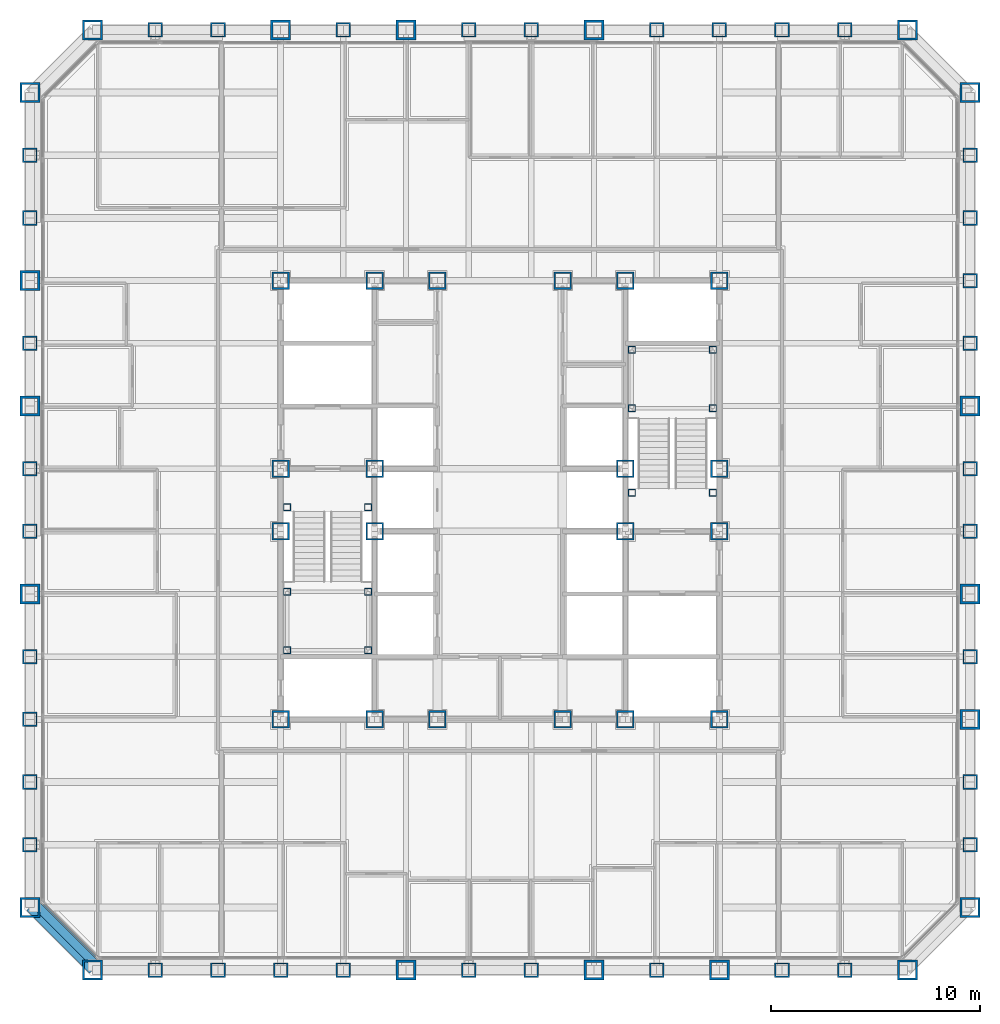
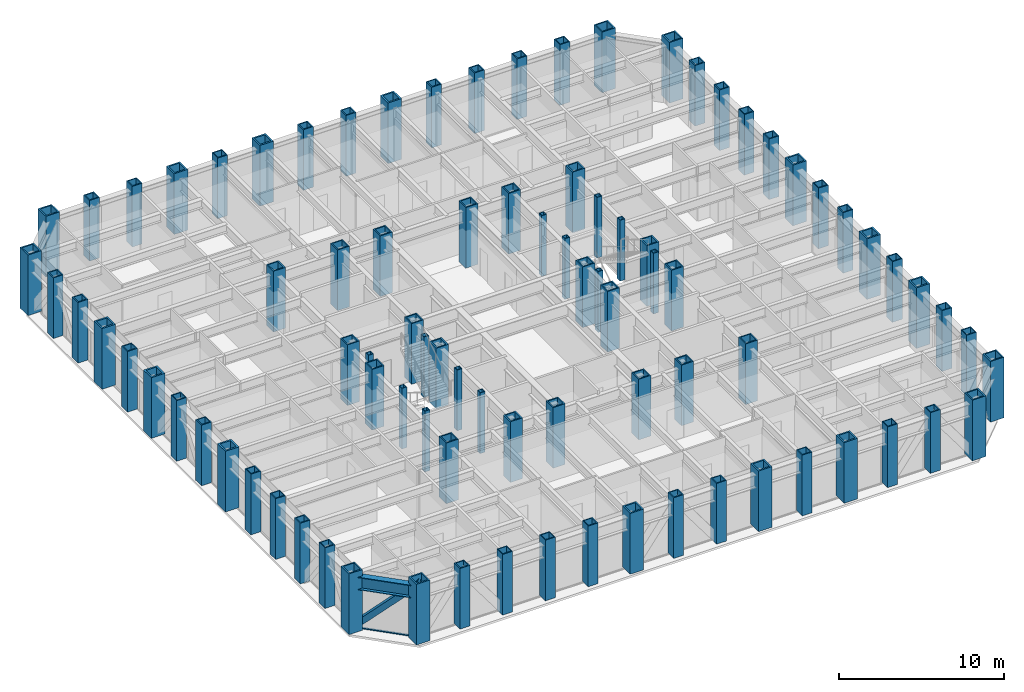
# One storey, part 1 of 16: 88 columns, 2 members, 1 beam, 1 element without a shape of its own.
"""IFC4 building model written with IfcOpenShell, lengths in metres."""

from ifc_helpers import new_model, si_unit, direction, frame, origin, origin_2d, place, context, subcontext, project, spatial, rectangle, hollow_rectangle, i_section, extrude, material, layer, layer_set, material_profile, profile_set, type_object, element, aggregate, save


model = new_model("IFC4")

# Units and contexts
model_context = context("Model", 3, precision=1e-05, world=origin(), true_north=direction((0.0, 1.0)))
body_context = subcontext(model_context, "Body", "Model", "MODEL_VIEW")
ifc_project = project(units=[si_unit("LENGTHUNIT", "METRE"), si_unit("AREAUNIT", "SQUARE_METRE"), si_unit("VOLUMEUNIT", "CUBIC_METRE"), si_unit("PLANEANGLEUNIT", "RADIAN"), si_unit("MASSUNIT", "GRAM", prefix="KILO")], contexts=[model_context])

# Site, building, storey
site_placement = place(None, origin())
site = spatial("IfcSite", under=ifc_project, at=site_placement, CompositionType="ELEMENT")
building_placement = place(site_placement, origin())
building = spatial("IfcBuilding", under=site, at=building_placement, Name="Chuquiago Exchange Tower", CompositionType="ELEMENT")
storey_placement = place(building_placement, frame((0.0, 0.0, 82.800048828125)))
storey = spatial("IfcBuildingStorey", under=building, at=storey_placement, Name="L17", CompositionType="ELEMENT", Elevation=82.800048828125)

# Columns
ifc_material_1 = material(Name="Steel ASTM A572 Grade 50", Category="steel")
ifc_material_profile_1 = material_profile(ifc_material_1, hollow_rectangle(XDim=0.699951171875, YDim=0.699951171875, WallThickness=0.070068359375, at=origin_2d()), Name="BOX700X700X70")
ifc_profile_set_1 = profile_set([ifc_material_profile_1], Name="Steel ASTM A572 Grade 50")
column_type_1 = type_object("IfcColumnType", Name="C2 BOX700X700X70", PredefinedType="COLUMN", material=ifc_profile_set_1)
for number, where, z_axis, x_axis, name in (
    (1, (6.0, 0.0, 0.0), (0.0, 0.0, 1.0), (0.0, -1.0, 0.0), "COL-L17-6_0"),
    (2, (9.0, 0.0, 0.0), (0.0, 0.0, 1.0), (0.0, -1.0, 0.0), "COL-L17-9_0"),
    (3, (12.0, 0.0, 0.0), (0.0, 0.0, 1.0), (0.0, -1.0, 0.0), "COL-L17-12_0"),
    (4, (15.0, 0.0, 0.0), (0.0, 0.0, 1.0), (0.0, -1.0, 0.0), "COL-L17-15_0"),
    (5, (21.0, 0.0, 0.0), (0.0, 0.0, 1.0), (0.0, -1.0, 0.0), "COL-L17-21_0"),
    (6, (24.0, 0.0, 0.0), (0.0, 0.0, 1.0), (0.0, -1.0, 0.0), "COL-L17-24_0"),
    (7, (30.0, 0.0, 0.0), (0.0, 0.0, 1.0), (0.0, -1.0, 0.0), "COL-L17-30_0"),
    (8, (36.0, 0.0, 0.0), (0.0, 0.0, 1.0), (0.0, -1.0, 0.0), "COL-L17-36_0"),
    (9, (39.0, 0.0, 0.0), (0.0, 0.0, 1.0), (0.0, -1.0, 0.0), "COL-L17-39_0"),
    (10, (45.0, 6.0, 0.0), (0.0, 0.0, 1.0), (1.0, 0.0, 0.0), "COL-L17-45_6"),
    (11, (45.0, 9.0, 0.0), (0.0, 0.0, 1.0), (1.0, 0.0, 0.0), "COL-L17-45_9"),
    (12, (45.0, 15.0, 0.0), (0.0, 0.0, 1.0), (1.0, 0.0, 0.0), "COL-L17-45_15"),
    (13, (45.0, 21.0, 0.0), (0.0, 0.0, 1.0), (1.0, 0.0, 0.0), "COL-L17-45_21"),
    (14, (45.0, 24.0, 0.0), (0.0, 0.0, 1.0), (1.0, 0.0, 0.0), "COL-L17-45_24"),
    (15, (45.0, 30.0, 0.0), (0.0, 0.0, 1.0), (1.0, 0.0, 0.0), "COL-L17-45_30"),
    (16, (45.0, 33.0, 0.0), (0.0, 0.0, 1.0), (1.0, 0.0, 0.0), "COL-L17-45_33"),
    (17, (45.0, 36.0, 0.0), (0.0, 0.0, 1.0), (1.0, 0.0, 0.0), "COL-L17-45_36"),
    (18, (45.0, 39.0, 0.0), (0.0, 0.0, 1.0), (1.0, 0.0, 0.0), "COL-L17-45_39"),
    (19, (39.0, 45.0, 0.0), (0.0, 0.0, 1.0), (0.0, 1.0, 0.0), "COL-L17-39_45"),
    (20, (36.0, 45.0, 0.0), (0.0, 0.0, 1.0), (0.0, 1.0, 0.0), "COL-L17-36_45"),
    (21, (33.0, 45.0, 0.0), (0.0, 0.0, 1.0), (0.0, 1.0, 0.0), "COL-L17-33_45"),
    (22, (30.0, 45.0, 0.0), (0.0, 0.0, 1.0), (0.0, 1.0, 0.0), "COL-L17-30_45"),
    (23, (24.0, 45.0, 0.0), (0.0, 0.0, 1.0), (0.0, 1.0, 0.0), "COL-L17-24_45"),
    (24, (21.0, 45.0, 0.0), (0.0, 0.0, 1.0), (0.0, 1.0, 0.0), "COL-L17-21_45"),
    (25, (15.0, 45.0, 0.0), (0.0, 0.0, 1.0), (0.0, 1.0, 0.0), "COL-L17-15_45"),
    (26, (9.0, 45.0, 0.0), (0.0, 0.0, 1.0), (0.0, 1.0, 0.0), "COL-L17-9_45"),
    (27, (6.0, 45.0, 0.0), (0.0, 0.0, 1.0), (0.0, 1.0, 0.0), "COL-L17-6_45"),
    (28, (0.0, 39.0, 0.0), (0.0, 0.0, 1.0), (-1.0, 0.0, 0.0), "COL-L17-0_39"),
    (29, (0.0, 36.0, 0.0), (0.0, 0.0, 1.0), (-1.0, 0.0, 0.0), "COL-L17-0_36"),
    (30, (0.0, 30.0, 0.0), (0.0, 0.0, 1.0), (-1.0, 0.0, 0.0), "COL-L17-0_30"),
    (31, (0.0, 24.0, 0.0), (0.0, 0.0, 1.0), (-1.0, 0.0, 0.0), "COL-L17-0_24"),
    (32, (0.0, 21.0, 0.0), (0.0, 0.0, 1.0), (-1.0, 0.0, 0.0), "COL-L17-0_21"),
    (33, (0.0, 15.0, 0.0), (0.0, 0.0, 1.0), (-1.0, 0.0, 0.0), "COL-L17-0_15"),
    (34, (0.0, 12.0, 0.0), (0.0, 0.0, 1.0), (-1.0, 0.0, 0.0), "COL-L17-0_12"),
    (35, (0.0, 9.0, 0.0), (0.0, 0.0, 1.0), (-1.0, 0.0, 0.0), "COL-L17-0_9"),
    (36, (0.0, 6.0, 0.0), (0.0, 0.0, 1.0), (-1.0, 0.0, 0.0), "COL-L17-0_6"),
):
    element("IfcColumn", number, at=place(storey_placement, frame(where, z_axis=z_axis, x_axis=x_axis)), inside=storey, type_object=column_type_1, Name=name, PredefinedType="COLUMN", context=body_context, shape_type="SweptSolid", body=[
        extrude(hollow_rectangle(XDim=0.699951171875, YDim=0.699951171875, WallThickness=0.070068359375, at=origin_2d()), origin(), (0.0, 0.0, 1.0), 4.5),
    ])
ifc_material_2 = material(Name="Steel ASTM A572 Grade 50", Category="steel")
ifc_material_profile_2 = material_profile(ifc_material_2, hollow_rectangle(XDim=0.85009765625, YDim=0.85009765625, WallThickness=0.0849609375, at=origin_2d()), Name="BOX850X850X85")
ifc_profile_set_2 = profile_set([ifc_material_profile_2], Name="Steel ASTM A572 Grade 50")
column_type_2 = type_object("IfcColumnType", Name="CC2 BOX850X850X85", PredefinedType="COLUMN", material=ifc_profile_set_2)
for number, where, z_axis, x_axis, name in (
    (37, (16.5, 12.0, 0.0), (0.0, 0.0, 1.0), (1.0, 0.0, 0.0), "CCOL-L17-16.5_12"),
    (38, (19.5, 12.0, 0.0), (0.0, 0.0, 1.0), (1.0, 0.0, 0.0), "CCOL-L17-19.5_12"),
    (39, (25.5, 12.0, 0.0), (0.0, 0.0, 1.0), (1.0, 0.0, 0.0), "CCOL-L17-25.5_12"),
    (40, (28.5, 12.0, 0.0), (0.0, 0.0, 1.0), (1.0, 0.0, 0.0), "CCOL-L17-28.5_12"),
    (41, (16.5, 33.0, 0.0), (0.0, 0.0, 1.0), (1.0, 0.0, 0.0), "CCOL-L17-16.5_33"),
    (42, (19.5, 33.0, 0.0), (0.0, 0.0, 1.0), (1.0, 0.0, 0.0), "CCOL-L17-19.5_33"),
    (43, (25.5, 33.0, 0.0), (0.0, 0.0, 1.0), (1.0, 0.0, 0.0), "CCOL-L17-25.5_33"),
    (44, (28.5, 33.0, 0.0), (0.0, 0.0, 1.0), (1.0, 0.0, 0.0), "CCOL-L17-28.5_33"),
    (45, (12.0, 21.0, 0.0), (0.0, 0.0, 1.0), (1.0, 0.0, 0.0), "CCOL-L17-12_21"),
    (46, (12.0, 24.0, 0.0), (0.0, 0.0, 1.0), (1.0, 0.0, 0.0), "CCOL-L17-12_24"),
    (47, (33.0, 21.0, 0.0), (0.0, 0.0, 1.0), (1.0, 0.0, 0.0), "CCOL-L17-33_21"),
    (48, (33.0, 24.0, 0.0), (0.0, 0.0, 1.0), (1.0, 0.0, 0.0), "CCOL-L17-33_24"),
    (49, (16.5, 21.0, 0.0), (0.0, 0.0, 1.0), (1.0, 0.0, 0.0), "CCOL-L17-16.5_21"),
    (50, (16.5, 24.0, 0.0), (0.0, 0.0, 1.0), (1.0, 0.0, 0.0), "CCOL-L17-16.5_24"),
    (51, (28.5, 21.0, 0.0), (0.0, 0.0, 1.0), (1.0, 0.0, 0.0), "CCOL-L17-28.5_21"),
    (52, (28.5, 24.0, 0.0), (0.0, 0.0, 1.0), (1.0, 0.0, 0.0), "CCOL-L17-28.5_24"),
):
    element("IfcColumn", number, at=place(storey_placement, frame(where, z_axis=z_axis, x_axis=x_axis)), inside=storey, type_object=column_type_2, Name=name, PredefinedType="COLUMN", context=body_context, shape_type="SweptSolid", body=[
        extrude(hollow_rectangle(XDim=0.85009765625, YDim=0.85009765625, WallThickness=0.0849609375, at=origin_2d()), origin(), (0.0, 0.0, 1.0), 4.5),
    ])
ifc_material_3 = material(Name="Steel ASTM A572 Grade 50", Category="steel")
ifc_material_profile_3 = material_profile(ifc_material_3, hollow_rectangle(XDim=0.85009765625, YDim=0.85009765625, WallThickness=0.0849609375, at=origin_2d()), Name="BOX850X850X85")
ifc_profile_set_3 = profile_set([ifc_material_profile_3], Name="Steel ASTM A572 Grade 50")
column_type_3 = type_object("IfcColumnType", Name="CC6 BOX850X850X85", PredefinedType="COLUMN", material=ifc_profile_set_3)
for number, where, z_axis, x_axis, name in (
    (53, (12.0, 12.0, 0.0), (0.0, 0.0, 1.0), (1.0, 0.0, 0.0), "CCOL-L17-12_12"),
    (54, (33.0, 12.0, 0.0), (0.0, 0.0, 1.0), (1.0, 0.0, 0.0), "CCOL-L17-33_12"),
    (55, (12.0, 33.0, 0.0), (0.0, 0.0, 1.0), (1.0, 0.0, 0.0), "CCOL-L17-12_33"),
    (56, (33.0, 33.0, 0.0), (0.0, 0.0, 1.0), (1.0, 0.0, 0.0), "CCOL-L17-33_33"),
):
    element("IfcColumn", number, at=place(storey_placement, frame(where, z_axis=z_axis, x_axis=x_axis)), inside=storey, type_object=column_type_3, Name=name, PredefinedType="COLUMN", context=body_context, shape_type="SweptSolid", body=[
        extrude(hollow_rectangle(XDim=0.85009765625, YDim=0.85009765625, WallThickness=0.0849609375, at=origin_2d()), origin(), (0.0, 0.0, 1.0), 4.5),
    ])
ifc_material_4 = material(Name="Steel ASTM A572 Grade 50", Category="steel")
ifc_material_profile_4 = material_profile(ifc_material_4, hollow_rectangle(XDim=0.949951171875, YDim=0.949951171875, WallThickness=0.094970703125, at=origin_2d()), Name="BOX950X950X95")
ifc_profile_set_4 = profile_set([ifc_material_profile_4], Name="Steel ASTM A572 Grade 50")
column_type_4 = type_object("IfcColumnType", Name="CN1 BOX950X950X95", PredefinedType="COLUMN", material=ifc_profile_set_4)
for number, where, z_axis, x_axis, name in (
    (57, (3.0, 0.0, 0.0), (0.0, 0.0, 1.0), (0.0, -1.0, 0.0), "COL-L17-3_0"),
    (58, (42.0, 0.0, 0.0), (0.0, 0.0, 1.0), (0.0, -1.0, 0.0), "COL-L17-42_0"),
    (59, (45.0, 3.0, 0.0), (0.0, 0.0, 1.0), (1.0, 0.0, 0.0), "COL-L17-45_3"),
    (60, (45.0, 42.0, 0.0), (0.0, 0.0, 1.0), (1.0, 0.0, 0.0), "COL-L17-45_42"),
    (61, (42.0, 45.0, 0.0), (0.0, 0.0, 1.0), (0.0, 1.0, 0.0), "COL-L17-42_45"),
    (62, (3.0, 45.0, 0.0), (0.0, 0.0, 1.0), (0.0, 1.0, 0.0), "COL-L17-3_45"),
    (63, (0.0, 42.0, 0.0), (0.0, 0.0, 1.0), (-1.0, 0.0, 0.0), "COL-L17-0_42"),
    (64, (0.0, 3.0, 0.0), (0.0, 0.0, 1.0), (-1.0, 0.0, 0.0), "COL-L17-0_3"),
):
    element("IfcColumn", number, at=place(storey_placement, frame(where, z_axis=z_axis, x_axis=x_axis)), inside=storey, type_object=column_type_4, Name=name, PredefinedType="COLUMN", context=body_context, shape_type="SweptSolid", body=[
        extrude(hollow_rectangle(XDim=0.949951171875, YDim=0.949951171875, WallThickness=0.094970703125, at=origin_2d()), origin(), (0.0, 0.0, 1.0), 4.5),
    ])
ifc_material_5 = material(Name="Steel ASTM A572 Grade 42", Category="steel")
ifc_material_profile_5 = material_profile(ifc_material_5, hollow_rectangle(XDim=0.949951171875, YDim=0.949951171875, WallThickness=0.110107421875, at=origin_2d()), Name="BOX950X950X110")
ifc_profile_set_5 = profile_set([ifc_material_profile_5], Name="Steel ASTM A572 Grade 42")
column_type_5 = type_object("IfcColumnType", Name="CT1 BOX950X950X110", PredefinedType="COLUMN", material=ifc_profile_set_5)
for number, where, z_axis, x_axis, name in (
    (65, (18.0, 0.0, 0.0), (0.0, 0.0, 1.0), (0.0, -1.0, 0.0), "COL-L17-18_0"),
    (66, (27.0, 0.0, 0.0), (0.0, 0.0, 1.0), (0.0, -1.0, 0.0), "COL-L17-27_0"),
    (67, (33.0, 0.0, 0.0), (0.0, 0.0, 1.0), (0.0, -1.0, 0.0), "COL-L17-33_0"),
    (68, (45.0, 12.0, 0.0), (0.0, 0.0, 1.0), (1.0, 0.0, 0.0), "COL-L17-45_12"),
    (69, (45.0, 18.0, 0.0), (0.0, 0.0, 1.0), (1.0, 0.0, 0.0), "COL-L17-45_18"),
    (70, (45.0, 27.0, 0.0), (0.0, 0.0, 1.0), (1.0, 0.0, 0.0), "COL-L17-45_27"),
    (71, (27.0, 45.0, 0.0), (0.0, 0.0, 1.0), (0.0, 1.0, 0.0), "COL-L17-27_45"),
    (72, (18.0, 45.0, 0.0), (0.0, 0.0, 1.0), (0.0, 1.0, 0.0), "COL-L17-18_45"),
    (73, (12.0, 45.0, 0.0), (0.0, 0.0, 1.0), (0.0, 1.0, 0.0), "COL-L17-12_45"),
    (74, (0.0, 33.0, 0.0), (0.0, 0.0, 1.0), (-1.0, 0.0, 0.0), "COL-L17-0_33"),
    (75, (0.0, 27.0, 0.0), (0.0, 0.0, 1.0), (-1.0, 0.0, 0.0), "COL-L17-0_27"),
    (76, (0.0, 18.0, 0.0), (0.0, 0.0, 1.0), (-1.0, 0.0, 0.0), "COL-L17-0_18"),
):
    element("IfcColumn", number, at=place(storey_placement, frame(where, z_axis=z_axis, x_axis=x_axis)), inside=storey, type_object=column_type_5, Name=name, PredefinedType="COLUMN", context=body_context, shape_type="SweptSolid", body=[
        extrude(hollow_rectangle(XDim=0.949951171875, YDim=0.949951171875, WallThickness=0.110107421875, at=origin_2d()), origin(), (0.0, 0.0, 1.0), 4.5),
    ])
ifc_material_6 = material(Name="Steel ASTM A572 Grade 50", Category="steel")
ifc_material_profile_6 = material_profile(ifc_material_6, hollow_rectangle(XDim=0.35009765625, YDim=0.35009765625, WallThickness=0.034912109375, at=origin_2d()), Name="BOX350X350X35")
ifc_profile_set_6 = profile_set([ifc_material_profile_6], Name="Steel ASTM A572 Grade 50")
column_type_6 = type_object("IfcColumnType", Name="PT3 BOX350X350X35", PredefinedType="COLUMN", material=ifc_profile_set_6)
for number, where, z_axis, x_axis, name in (
    (77, (12.31005859375, 15.31005859375, 0.0), (0.0, 0.0, 1.0), (1.0, 0.0, 0.0), "Stair ST1 L17 landing post"),
    (78, (16.18994140625, 15.31005859375, 0.0), (0.0, 0.0, 1.0), (1.0, 0.0, 0.0), "Stair ST1 L17 landing post"),
    (79, (12.31005859375, 18.110107421875, 0.0), (0.0, 0.0, 1.0), (1.0, 0.0, 0.0), "Stair ST1 L17 landing post"),
    (80, (16.18994140625, 18.110107421875, 0.0), (0.0, 0.0, 1.0), (1.0, 0.0, 0.0), "Stair ST1 L17 landing post"),
    (81, (12.31005859375, 22.14990234375, 0.0), (0.0, 0.0, 1.0), (1.0, 0.0, 0.0), "Stair ST1 L17 landing post"),
    (82, (16.18994140625, 22.14990234375, 0.0), (0.0, 0.0, 1.0), (1.0, 0.0, 0.0), "Stair ST1 L17 landing post"),
    (83, (28.81005859375, 29.68994140625, 0.0), (0.0, 0.0, 1.0), (1.0, 0.0, 0.0), "Stair ST2 L17 landing post"),
    (84, (32.68994140625, 29.68994140625, 0.0), (0.0, 0.0, 1.0), (1.0, 0.0, 0.0), "Stair ST2 L17 landing post"),
    (85, (28.81005859375, 26.889892578125, 0.0), (0.0, 0.0, 1.0), (1.0, 0.0, 0.0), "Stair ST2 L17 landing post"),
    (86, (32.68994140625, 26.889892578125, 0.0), (0.0, 0.0, 1.0), (1.0, 0.0, 0.0), "Stair ST2 L17 landing post"),
    (87, (28.81005859375, 22.85009765625, 0.0), (0.0, 0.0, 1.0), (1.0, 0.0, 0.0), "Stair ST2 L17 landing post"),
    (88, (32.68994140625, 22.85009765625, 0.0), (0.0, 0.0, 1.0), (1.0, 0.0, 0.0), "Stair ST2 L17 landing post"),
):
    element("IfcColumn", number, at=place(storey_placement, frame(where, z_axis=z_axis, x_axis=x_axis)), inside=storey, type_object=column_type_6, Name=name, PredefinedType="COLUMN", context=body_context, shape_type="SweptSolid", body=[
        extrude(hollow_rectangle(XDim=0.35009765625, YDim=0.35009765625, WallThickness=0.034912109375, at=origin_2d()), origin(), (0.0, 0.0, 1.0), 4.5),
    ])

# Curtain wall, member
ifc_material_7 = material(Name="Aluminium curtain wall system", Category="aluminium")
ifc_layer = layer(ifc_material_7, 0.199951171875)
ifc_layer_set = layer_set([ifc_layer], Name="CW3 facet curtain wall")
curtain_wall_type = type_object("IfcCurtainWallType", Name="CW3 facet curtain wall", PredefinedType="NOTDEFINED", material=ifc_layer_set)
curtain_wall_placement = place(storey_placement, origin())
curtain_wall = element("IfcCurtainWall", 89, at=curtain_wall_placement, inside=storey, type_object=curtain_wall_type, Name="CW3 curtain wall L17", PredefinedType="NOTDEFINED")
ifc_material_8 = material(Name="Aluminium transom, pale anodised", Category="aluminium")
ifc_material_profile_7 = material_profile(ifc_material_8, rectangle(XDim=0.139892578125, YDim=0.06494140625, at=origin_2d()), Name="AL 140x65")
ifc_profile_set_7 = profile_set([ifc_material_profile_7], Name="Aluminium transom, pale anodised")
member_type_1 = type_object("IfcMemberType", Name="CW3-T transom 65x140", PredefinedType="MULLION", material=ifc_profile_set_7)
member_1_placement = place(storey_placement, frame((0.64599609375, 3.20263671875, -0.267578125), z_axis=(0.707106781187, -0.707106781187, 0.0), x_axis=(0.707106781187, 0.707106781187, 0.0)))
member_1 = element("IfcMember", 90, at=member_1_placement, type_object=member_type_1, Name="CW3 transom 1.1", PredefinedType="MULLION", context=body_context, shape_type="SweptSolid", body=[
    extrude(rectangle(XDim=0.139892578125, YDim=0.06494140625, at=origin_2d()), origin(), (0.0, 0.0, 1.0), 3.61572265625),
])
aggregate(curtain_wall, [member_1])

# Member
ifc_material_9 = material(Name="Steel ASTM A500 Grade C", Category="steel")
ifc_material_profile_8 = material_profile(ifc_material_9, hollow_rectangle(XDim=0.406494140625, YDim=0.406494140625, WallThickness=0.0146484375, at=origin_2d()), Name="HSS16X16X5/8")
ifc_profile_set_8 = profile_set([ifc_material_profile_8], Name="Steel ASTM A500 Grade C")
member_type_2 = type_object("IfcMemberType", Name="LB4 HSS16X16X5/8", PredefinedType="BRACE", material=ifc_profile_set_8)
member_2_placement = place(storey_placement, frame((0.21337890625, 3.21337890625, 0.0), z_axis=(0.512077265487, -0.512077265487, 0.689604051861), x_axis=(0.707106781187, 0.707106781187, 0.0)))
element("IfcMember", 91, at=member_2_placement, inside=storey, type_object=member_type_2, Name="LB-L17-0_3-3_0", PredefinedType="BRACE", context=body_context, shape_type="SweptSolid", body=[
    extrude(hollow_rectangle(XDim=0.406494140625, YDim=0.406494140625, WallThickness=0.0146484375, at=origin_2d()), origin(), (0.0, 0.0, 1.0), 5.8583984375),
])

# Beam
ifc_material_10 = material(Name="Steel ASTM A992", Category="steel")
ifc_material_profile_9 = material_profile(ifc_material_10, i_section(OverallWidth=0.424072265625, OverallDepth=0.947509765625, WebThickness=0.02392578125, FlangeThickness=0.042724609375, at=origin_2d()), Name="W36X302")
ifc_profile_set_9 = profile_set([ifc_material_profile_9], Name="Steel ASTM A992")
beam_type = type_object("IfcBeamType", Name="SP1 W36X302", PredefinedType="SPANDREL", material=ifc_profile_set_9)
beam_placement = place(storey_placement, frame((0.0, 3.0, 3.566162109375), z_axis=(0.707106781187, -0.707106781187, 0.0), x_axis=(0.707106781187, 0.707106781187, 0.0)))
element("IfcBeam", 92, at=beam_placement, inside=storey, type_object=beam_type, Name="SPB-L18-0_3-3_0", PredefinedType="SPANDREL", context=body_context, shape_type="SweptSolid", body=[
    extrude(i_section(OverallWidth=0.424072265625, OverallDepth=0.947509765625, WebThickness=0.02392578125, FlangeThickness=0.042724609375, at=origin_2d()), origin(), (0.0, 0.0, 1.0), 4.24267578125),
])

save(model, "model.ifc")
